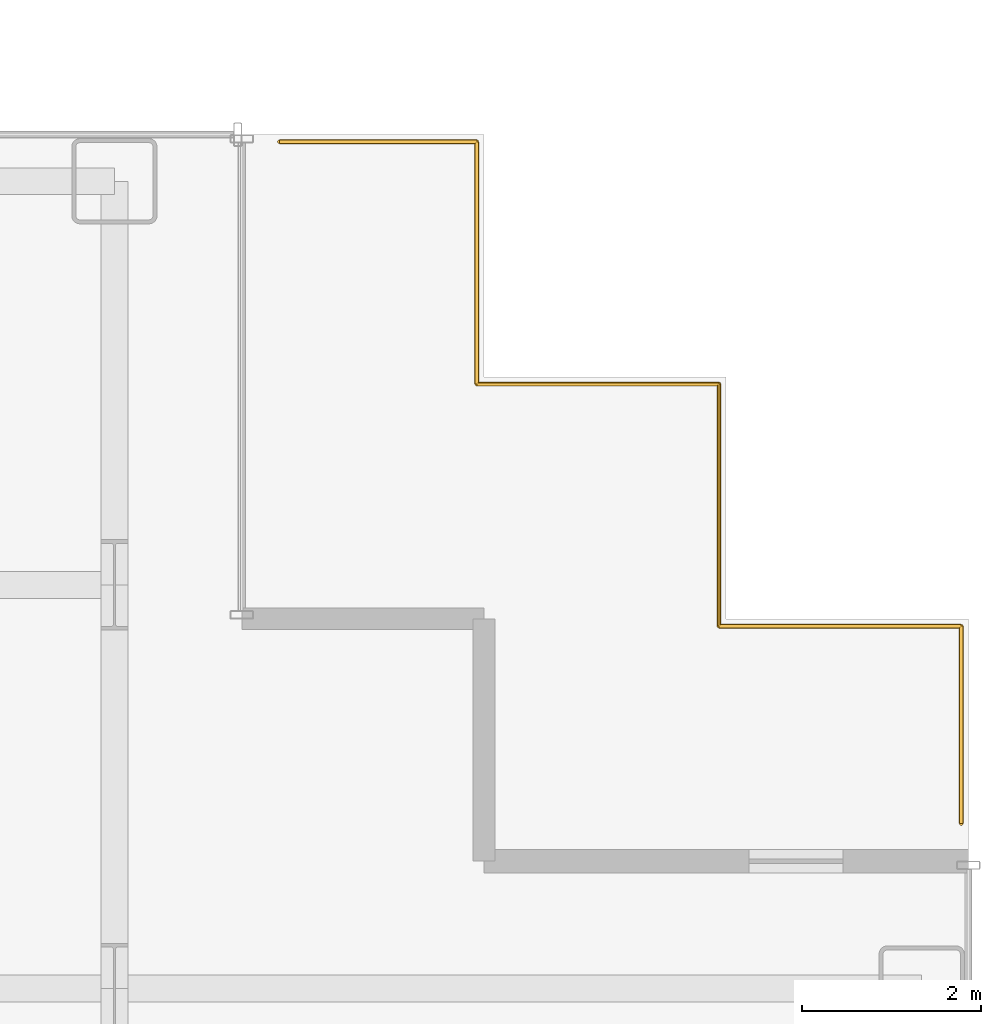
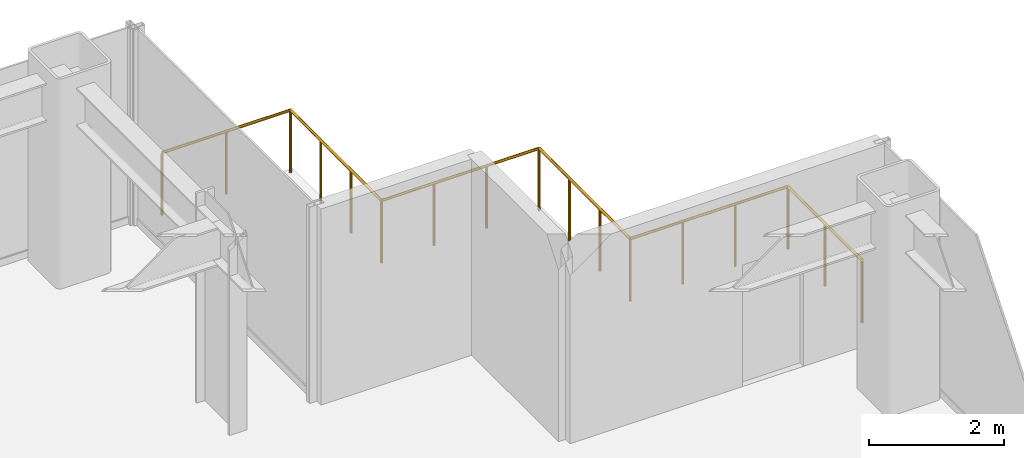
# One storey, part 26 of 26: 1 railing.
"""IFC4 building model written with IfcOpenShell, lengths in metres."""

from ifc_helpers import new_model, si_unit, direction, frame, origin, origin_2d, place, context, subcontext, project, spatial, circle, extrude, material, type_object, element, save


model = new_model("IFC4")

# Units and contexts
model_context = context("Model", 3, precision=1e-05, world=origin(), true_north=direction((0.0, 1.0)))
body_context = subcontext(model_context, "Body", "Model", "MODEL_VIEW")
ifc_project = project(units=[si_unit("LENGTHUNIT", "METRE"), si_unit("AREAUNIT", "SQUARE_METRE"), si_unit("VOLUMEUNIT", "CUBIC_METRE"), si_unit("PLANEANGLEUNIT", "RADIAN"), si_unit("MASSUNIT", "GRAM", prefix="KILO")], contexts=[model_context])

# Site, building, storey
site_placement = place(None, origin())
site = spatial("IfcSite", under=ifc_project, at=site_placement, CompositionType="ELEMENT")
building_placement = place(site_placement, origin())
building = spatial("IfcBuilding", under=site, at=building_placement, Name="Nefas-Gora Pilgrimage Tower", CompositionType="ELEMENT")
storey_placement = place(building_placement, frame((0.0, 0.0, 106.0)))
storey = spatial("IfcBuildingStorey", under=building, at=storey_placement, Name="L25", CompositionType="ELEMENT", Elevation=106.0)

# Railing
ifc_material = material(Name="Laminated safety glass and stainless steel", Category="steel")
railing_type = type_object("IfcRailingType", Name="RLG-TER-1150", PredefinedType="BALUSTRADE", material=ifc_material)
railing_placement = place(storey_placement, frame((26.590087890625, 22.93994140625, 0.0)))
element("IfcRailing", 1, at=railing_placement, inside=storey, type_object=railing_type, Name="L25 Terrace Continuous Balustrade TER-SP-NE.1", PredefinedType="BALUSTRADE", context=body_context, shape_type="SweptSolid", body=[
    extrude(circle(Radius=0.02392578125, at=origin_2d()), frame((0.0, 0.0, 1.1259765625), z_axis=(1.0, 0.0, 0.0), x_axis=(0.0, 1.0, 0.0)), (0.0, 0.0, 1.0), 2.199951171875),
    extrude(circle(Radius=0.02392578125, at=origin_2d()), frame((2.199951171875, 0.0, 1.1259765625), z_axis=(0.0, -1.0, 0.0), x_axis=(1.0, 0.0, 0.0)), (0.0, 0.0, 1.0), 2.699951171875),
    extrude(circle(Radius=0.02392578125, at=origin_2d()), frame((2.199951171875, -2.699951171875, 1.1259765625), z_axis=(1.0, 0.0, 0.0), x_axis=(0.0, 1.0, 0.0)), (0.0, 0.0, 1.0), 2.699951171875),
    extrude(circle(Radius=0.02392578125, at=origin_2d()), frame((4.89990234375, -2.699951171875, 1.1259765625), z_axis=(0.0, -1.0, 0.0), x_axis=(1.0, 0.0, 0.0)), (0.0, 0.0, 1.0), 2.699951171875),
    extrude(circle(Radius=0.02392578125, at=origin_2d()), frame((4.89990234375, -5.39990234375, 1.1259765625), z_axis=(1.0, 0.0, 0.0), x_axis=(0.0, 1.0, 0.0)), (0.0, 0.0, 1.0), 2.699951171875),
    extrude(circle(Radius=0.02392578125, at=origin_2d()), frame((7.599853515625, -5.39990234375, 1.1259765625), z_axis=(0.0, -1.0, 0.0), x_axis=(1.0, 0.0, 0.0)), (0.0, 0.0, 1.0), 2.199951171875),
    extrude(circle(Radius=0.02099609375, at=origin_2d()), origin(), (0.0, 0.0, 1.0), 1.101806640625),
    extrude(circle(Radius=0.02099609375, at=origin_2d()), frame((1.10009765625, 0.0, 0.0)), (0.0, 0.0, 1.0), 1.101806640625),
    extrude(circle(Radius=0.02099609375, at=origin_2d()), frame((2.199951171875, 0.0, 0.0)), (0.0, 0.0, 1.0), 1.101806640625),
    extrude(circle(Radius=0.02099609375, at=origin_2d()), frame((2.199951171875, -0.89990234375, 0.0)), (0.0, 0.0, 1.0), 1.101806640625),
    extrude(circle(Radius=0.02099609375, at=origin_2d()), frame((2.199951171875, -1.800048828125, 0.0)), (0.0, 0.0, 1.0), 1.101806640625),
    extrude(circle(Radius=0.02099609375, at=origin_2d()), frame((2.199951171875, -2.699951171875, 0.0)), (0.0, 0.0, 1.0), 1.101806640625),
    extrude(circle(Radius=0.02099609375, at=origin_2d()), frame((3.099853515625, -2.699951171875, 0.0)), (0.0, 0.0, 1.0), 1.101806640625),
    extrude(circle(Radius=0.02099609375, at=origin_2d()), frame((4.0, -2.699951171875, 0.0)), (0.0, 0.0, 1.0), 1.101806640625),
    extrude(circle(Radius=0.02099609375, at=origin_2d()), frame((4.89990234375, -2.699951171875, 0.0)), (0.0, 0.0, 1.0), 1.101806640625),
    extrude(circle(Radius=0.02099609375, at=origin_2d()), frame((4.89990234375, -3.599853515625, 0.0)), (0.0, 0.0, 1.0), 1.101806640625),
    extrude(circle(Radius=0.02099609375, at=origin_2d()), frame((4.89990234375, -4.5, 0.0)), (0.0, 0.0, 1.0), 1.101806640625),
    extrude(circle(Radius=0.02099609375, at=origin_2d()), frame((4.89990234375, -5.39990234375, 0.0)), (0.0, 0.0, 1.0), 1.101806640625),
    extrude(circle(Radius=0.02099609375, at=origin_2d()), frame((5.7998046875, -5.39990234375, 0.0)), (0.0, 0.0, 1.0), 1.101806640625),
    extrude(circle(Radius=0.02099609375, at=origin_2d()), frame((6.699951171875, -5.39990234375, 0.0)), (0.0, 0.0, 1.0), 1.101806640625),
    extrude(circle(Radius=0.02099609375, at=origin_2d()), frame((7.599853515625, -5.39990234375, 0.0)), (0.0, 0.0, 1.0), 1.101806640625),
    extrude(circle(Radius=0.02099609375, at=origin_2d()), frame((7.599853515625, -6.5, 0.0)), (0.0, 0.0, 1.0), 1.101806640625),
    extrude(circle(Radius=0.02099609375, at=origin_2d()), frame((7.599853515625, -7.599853515625, 0.0)), (0.0, 0.0, 1.0), 1.101806640625),
])

save(model, "model.ifc")
